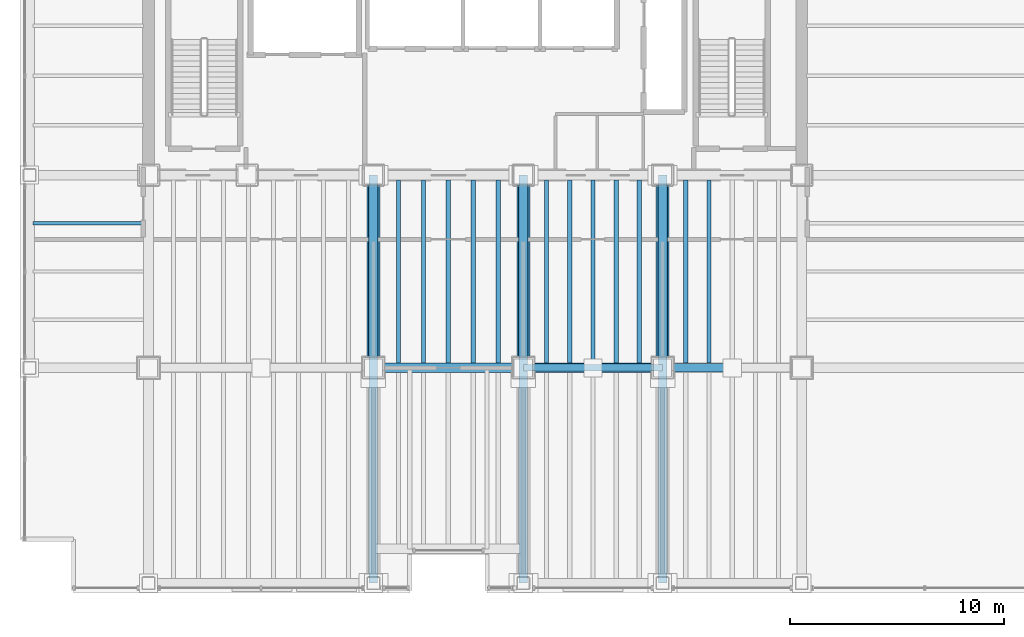
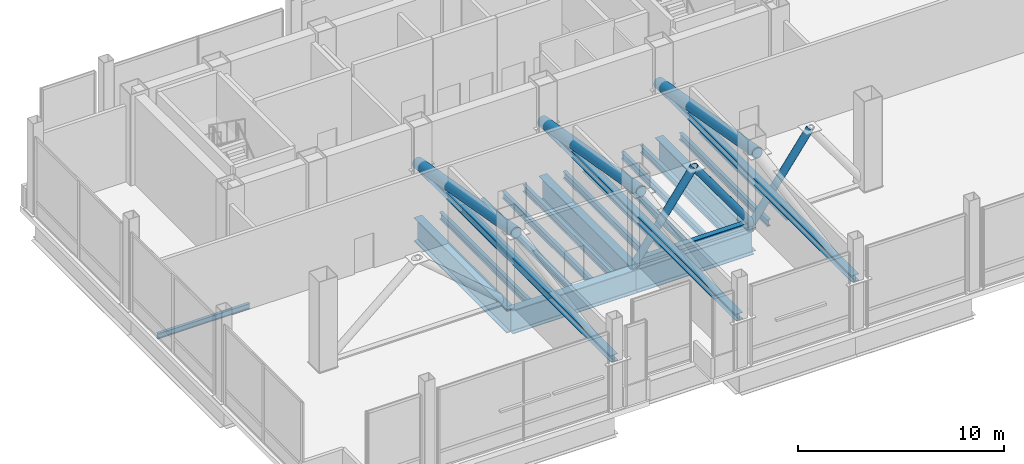
# One storey, part 6 of 20: 18 beams, 10 members.
"""IFC4 building model written with IfcOpenShell, lengths in metres."""

import ifcopenshell
import ifcopenshell.guid

model = None  # the IFC model being written
_history = None  # IfcOwnerHistory: only IFC2X3 demands one
_inside = {}  # id of a spatial element -> (the spatial element, [elements in it])
_under = {}  # id of a project, library or spatial element -> (it, [spatial elements below it])
_declared = {}  # id of a project -> (the project, [libraries it declares])
_typed = {}  # id of a type object -> (the type object, [elements of that type])
_made_of = {}  # id of a material, layer set ... -> (it, [elements and type objects made of it])


def new_model(schema):
    """Start an empty IFC model of exactly this schema.

    Asked for "IFC4X3", IfcOpenShell would pick the latest addendum, in which some entities
    have other attributes; the version numbers below select the first issue.
    IFC2X3 requires an IfcOwnerHistory on every rooted entity: one is made here for all.
    """
    global model, _history
    if schema == "IFC4X3":
        model = ifcopenshell.file(schema_version=(4, 3, 0, 0))
    else:
        model = ifcopenshell.file(schema=schema)
    _inside.clear()
    _under.clear()
    _declared.clear()
    _typed.clear()
    _made_of.clear()
    _history = None
    if model.schema == "IFC2X3":
        org = make("IfcOrganization", Name="unknown")
        user = make(
            "IfcPersonAndOrganization",
            ThePerson=make("IfcPerson", FamilyName="unknown"),
            TheOrganization=org,
        )
        app = make(
            "IfcApplication",
            ApplicationDeveloper=org,
            Version="unknown",
            ApplicationFullName="unknown",
            ApplicationIdentifier="unknown",
        )
        _history = make(
            "IfcOwnerHistory",
            OwningUser=user,
            OwningApplication=app,
            ChangeAction="ADDED",
            CreationDate=0,
        )
    return model


def make(cls, **values):
    """One entity of the class cls with the attributes given. An attribute that is None is left unset."""
    return model.create_entity(
        cls, **{name: value for name, value in values.items() if value is not None}
    )


def rooted(cls, **values):
    """An entity with a GlobalId (a new one), such as an element, a storey or a relation."""
    return make(cls, GlobalId=ifcopenshell.guid.new(), OwnerHistory=_history, **values)


def si_unit(unit_type, name, prefix=None):
    """IfcSIUnit, for example si_unit("LENGTHUNIT", "METRE", prefix="MILLI")."""
    return make("IfcSIUnit", UnitType=unit_type, Prefix=prefix, Name=name)


def assignment(units):
    """IfcUnitAssignment: the units of a project."""
    return None if units is None else make("IfcUnitAssignment", Units=units)


def point(xyz):
    """IfcCartesianPoint."""
    return None if xyz is None else make("IfcCartesianPoint", Coordinates=xyz)


def direction(xyz):
    """IfcDirection."""
    return None if xyz is None else make("IfcDirection", DirectionRatios=xyz)


def frame(location, z_axis=None, x_axis=None):
    """IfcAxis2Placement3D, a coordinate frame: its origin and axes. An axis left out is left unset."""
    return make(
        "IfcAxis2Placement3D",
        Location=point(location),
        Axis=direction(z_axis),
        RefDirection=direction(x_axis),
    )


def frame_2d(location, x_axis=None):
    """IfcAxis2Placement2D, a coordinate frame in the plane: its origin and x axis."""
    return make(
        "IfcAxis2Placement2D", Location=point(location), RefDirection=direction(x_axis)
    )


def origin():
    """The frame at (0, 0, 0) with its axes left unset."""
    return frame((0.0, 0.0, 0.0))


def origin_2d():
    """The frame at (0, 0) in the plane with its x axis left unset."""
    return frame_2d((0.0, 0.0))


def place(relative_to, where):
    """IfcLocalPlacement: puts the frame where relative to a parent placement (None: the world)."""
    return make(
        "IfcLocalPlacement", PlacementRelTo=relative_to, RelativePlacement=where
    )


def context(
    kind, dimensions, precision=None, world=None, true_north=None, identifier=None
):
    """IfcGeometricRepresentationContext, for example the 3D "Model" context."""
    return make(
        "IfcGeometricRepresentationContext",
        ContextIdentifier=identifier,
        ContextType=kind,
        CoordinateSpaceDimension=dimensions,
        Precision=precision,
        WorldCoordinateSystem=world,
        TrueNorth=true_north,
    )


def subcontext(parent, identifier, kind, view, scale=None):
    """IfcGeometricRepresentationSubContext, for example "Body" below "Model"."""
    return make(
        "IfcGeometricRepresentationSubContext",
        ContextIdentifier=identifier,
        ContextType=kind,
        ParentContext=parent,
        TargetScale=scale,
        TargetView=view,
    )


def project(units=None, contexts=None):
    """IfcProject with its units and contexts."""
    return rooted(
        "IfcProject",
        Name="project",
        RepresentationContexts=contexts,
        UnitsInContext=assignment(units),
    )


def spatial(cls, under=None, at=None, **own):
    """A site, building, storey or space (cls), placed at a placement, below another one or the project."""
    s = rooted(cls, ObjectPlacement=at, **own)
    if under is not None:
        _under.setdefault(under.id(), (under, []))[1].append(s)
    return s


def profile(cls, at=None, kind="AREA", **sizes):
    """A parametric profile (cls). Its sizes go by their IFC names, for example OverallWidth=200.0."""
    return make(cls, ProfileType=kind, Position=at, **sizes)


def hollow_circle(**sizes):
    """IfcCircleHollowProfileDef."""
    return profile("IfcCircleHollowProfileDef", **sizes)


def i_section(**sizes):
    """IfcIShapeProfileDef."""
    return profile("IfcIShapeProfileDef", **sizes)


def extrude(swept, where, along, depth):
    """IfcExtrudedAreaSolid: the profile swept, set in the frame where, extruded along a direction by depth."""
    return make(
        "IfcExtrudedAreaSolid",
        SweptArea=swept,
        Position=where,
        ExtrudedDirection=direction(along),
        Depth=depth,
    )


def shape(context_of_items, identifier, shape_type, items):
    """IfcShapeRepresentation: the items that make up one representation, for example the "Body"."""
    return make(
        "IfcShapeRepresentation",
        ContextOfItems=context_of_items,
        RepresentationIdentifier=identifier,
        RepresentationType=shape_type,
        Items=items,
    )


def material(Name=None, Category=None):
    """IfcMaterial."""
    return make("IfcMaterial", Name=Name, Category=Category)


def material_profile(
    of_material, cross_section, Name=None, Category=None, Priority=None
):
    """IfcMaterialProfile: a cross section and its material."""
    return make(
        "IfcMaterialProfile",
        Name=Name,
        Material=of_material,
        Profile=cross_section,
        Priority=Priority,
        Category=Category,
    )


def profile_set(profiles, Name=None, composite=None):
    """IfcMaterialProfileSet."""
    return make(
        "IfcMaterialProfileSet",
        Name=Name,
        MaterialProfiles=profiles,
        CompositeProfile=composite,
    )


def made_of(thing, what):
    """Note that an element or type object is made of a material, layer set ...; save() writes the relation."""
    if what is not None:
        _made_of.setdefault(what.id(), (what, []))[1].append(thing)
    return thing


def type_object(cls, material=None, **own):
    """A type object (cls), such as IfcWallType, which elements share."""
    return made_of(rooted(cls, **own), material)


def element(
    cls,
    number,
    at=None,
    inside=None,
    cuts=None,
    type_object=None,
    material=None,
    context=None,
    identifier="Body",
    shape_type=None,
    held_by="IfcProductDefinitionShape",
    body=None,
    shapes=None,
    **own,
):
    """One element of the class cls, such as IfcWall. Its Tag is "e" and its number.

    at: its placement. inside: the storey or other place that contains it. cuts: it is an
    opening in that element (IfcRelVoidsElement). A single representation is given by context,
    identifier, shape_type and body (its items); several are given by shapes. held_by: the class
    of the entity that holds the representations. save() writes the other relations.
    """
    e = rooted(cls, Tag="e%d" % number, ObjectPlacement=at, **own)
    if body is not None:
        shapes = [shape(context, identifier, shape_type, body)]
    if shapes is not None:
        e.Representation = make(held_by, Representations=shapes)
    if inside is not None:
        _inside.setdefault(inside.id(), (inside, []))[1].append(e)
    if cuts is not None:
        rooted(
            "IfcRelVoidsElement", RelatingBuildingElement=cuts, RelatedOpeningElement=e
        )
    if type_object is not None:
        _typed.setdefault(type_object.id(), (type_object, []))[1].append(e)
    return made_of(e, material)


def aggregate(whole, parts):
    """IfcRelAggregates: a whole, such as a stair, and the parts it consists of."""
    return rooted("IfcRelAggregates", RelatingObject=whole, RelatedObjects=parts)


def save(model, path):
    """Write the relations noted so far, then the file.

    IfcRelAggregates (storeys below a building ...), IfcRelContainedInSpatialStructure (elements
    in a storey), IfcRelDefinesByType, IfcRelAssociatesMaterial and IfcRelDeclares: one each for
    every whole, place, type object, material and project.
    """
    for whole, parts in _under.values():
        aggregate(whole, parts)
    for where, things in _inside.values():
        rooted(
            "IfcRelContainedInSpatialStructure",
            RelatedElements=things,
            RelatingStructure=where,
        )
    for kind, things in _typed.values():
        rooted("IfcRelDefinesByType", RelatedObjects=things, RelatingType=kind)
    for what, things in _made_of.values():
        rooted("IfcRelAssociatesMaterial", RelatedObjects=things, RelatingMaterial=what)
    for by, libraries in _declared.values():
        rooted("IfcRelDeclares", RelatingContext=by, RelatedDefinitions=libraries)
    model.write(path)


model = new_model("IFC4")

# Units and contexts
model_context = context("Model", 3, precision=1e-05, world=origin(), true_north=direction((0.0, 1.0)))
body_context = subcontext(model_context, "Body", "Model", "MODEL_VIEW")
ifc_project = project(units=[si_unit("LENGTHUNIT", "METRE"), si_unit("AREAUNIT", "SQUARE_METRE"), si_unit("VOLUMEUNIT", "CUBIC_METRE"), si_unit("PLANEANGLEUNIT", "RADIAN"), si_unit("MASSUNIT", "GRAM", prefix="KILO")], contexts=[model_context])

# Site, building, storey
site_placement = place(None, origin())
site = spatial("IfcSite", under=ifc_project, at=site_placement, CompositionType="ELEMENT")
building_placement = place(site_placement, origin())
building = spatial("IfcBuilding", under=site, at=building_placement, Name="Noeulbin Bourse Tower", CompositionType="ELEMENT")
storey_placement = place(building_placement, frame((0.0, 0.0, 100.60009765625)))
storey = spatial("IfcBuildingStorey", under=building, at=storey_placement, Name="L25", CompositionType="ELEMENT", Elevation=100.60009765625)

# Beams
ifc_material_1 = material(Name="Steel S355", Category="steel")
ifc_material_profile_1 = material_profile(ifc_material_1, i_section(OverallWidth=0.159912109375, OverallDepth=0.320068359375, WebThickness=0.006591796875, FlangeThickness=0.010009765625, FilletRadius=0.012939453125, at=origin_2d()), Name="H-320x160x6.5x10", Category="LoadBearing")
ifc_profile_set_1 = profile_set([ifc_material_profile_1], Name="Steel S355")
beam_type_1 = type_object("IfcBeamType", Name="BM-JST-320", PredefinedType="JOIST", material=ifc_profile_set_1)
beam_1_placement = place(storey_placement, frame((8.10009765625, 26.75, -0.460205078125), z_axis=(1.0, 0.0, 0.0), x_axis=(0.0, 1.0, 0.0)))
element("IfcBeam", 1, at=beam_1_placement, inside=storey, type_object=beam_type_1, Name="Wing Composite Joist L25-W72", PredefinedType="JOIST", context=body_context, shape_type="SweptSolid", body=[
    extrude(i_section(OverallWidth=0.159912109375, OverallDepth=0.320068359375, WebThickness=0.006591796875, FlangeThickness=0.010009765625, FilletRadius=0.012939453125, at=origin_2d()), origin(), (0.0, 0.0, 1.0), 5.1748046875),
])
ifc_material_profile_2 = material_profile(ifc_material_1, i_section(OverallWidth=0.199951171875, OverallDepth=0.39990234375, WebThickness=0.008056640625, FlangeThickness=0.012939453125, FilletRadius=0.01611328125, at=origin_2d()), Name="H-400x200x8x13", Category="LoadBearing")
ifc_profile_set_2 = profile_set([ifc_material_profile_2], Name="Steel S355")
beam_type_2 = type_object("IfcBeamType", Name="BM-SEC-400", PredefinedType="BEAM", material=ifc_profile_set_2)
for number, where, z_axis, x_axis, name in (
    (2, (25.166748046875, 20.22509765625, -0.5), (0.0, 1.0, 0.0), (-1.0, 0.0, 0.0), "Tower Composite Joist L25-26"),
    (3, (26.333251953125, 20.22509765625, -0.5), (0.0, 1.0, 0.0), (-1.0, 0.0, 0.0), "Tower Composite Joist L25-29"),
    (4, (27.5, 20.22509765625, -0.5), (0.0, 1.0, 0.0), (-1.0, 0.0, 0.0), "Tower Composite Joist L25-32"),
    (5, (28.666748046875, 20.22509765625, -0.5), (0.0, 1.0, 0.0), (-1.0, 0.0, 0.0), "Tower Composite Joist L25-35"),
    (6, (29.833251953125, 20.22509765625, -0.5), (0.0, 1.0, 0.0), (-1.0, 0.0, 0.0), "Tower Composite Joist L25-38"),
    (7, (32.083251953125, 20.22509765625, -0.5), (0.0, 1.0, 0.0), (-1.0, 0.0, 0.0), "Tower Composite Joist L25-41"),
    (8, (33.166748046875, 20.22509765625, -0.5), (0.0, 1.0, 0.0), (-1.0, 0.0, 0.0), "Tower Composite Joist L25-44"),
    (9, (34.25, 20.22509765625, -0.5), (0.0, 1.0, 0.0), (-1.0, 0.0, 0.0), "Tower Composite Joist L25-47"),
    (10, (35.333251953125, 20.22509765625, -0.5), (0.0, 1.0, 0.0), (-1.0, 0.0, 0.0), "Tower Composite Joist L25-50"),
    (11, (36.416748046875, 20.22509765625, -0.5), (0.0, 1.0, 0.0), (-1.0, 0.0, 0.0), "Tower Composite Joist L25-53"),
    (12, (38.583251953125, 20.22509765625, -0.5), (0.0, 1.0, 0.0), (-1.0, 0.0, 0.0), "Tower Composite Joist L25-56"),
    (13, (39.666748046875, 20.22509765625, -0.5), (0.0, 1.0, 0.0), (-1.0, 0.0, 0.0), "Tower Composite Joist L25-59"),
):
    element("IfcBeam", number, at=place(storey_placement, frame(where, z_axis=z_axis, x_axis=x_axis)), inside=storey, type_object=beam_type_2, Name=name, PredefinedType="BEAM", context=body_context, shape_type="SweptSolid", body=[
        extrude(i_section(OverallWidth=0.199951171875, OverallDepth=0.39990234375, WebThickness=0.008056640625, FlangeThickness=0.012939453125, FilletRadius=0.01611328125, at=origin_2d()), origin(), (0.0, 0.0, 1.0), 8.5498046875),
    ])
ifc_material_2 = material(Name="Steel S460", Category="steel")
ifc_material_profile_3 = material_profile(ifc_material_2, i_section(OverallWidth=0.449951171875, OverallDepth=1.39990234375, WebThickness=0.02392578125, FlangeThickness=0.0400390625, FilletRadius=0.02392578125, at=origin_2d()), Name="PG-1400x450x24x40", Category="LoadBearing")
ifc_profile_set_3 = profile_set([ifc_material_profile_3], Name="Steel S460")
beam_type_3 = type_object("IfcBeamType", Name="BM-TRF-1400", PredefinedType="USERDEFINED", material=ifc_profile_set_3)
beam_2_placement = place(storey_placement, frame((24.0, 20.0, -1.0), z_axis=(1.0, 0.0, 0.0), x_axis=(0.0, 1.0, 0.0)))
element("IfcBeam", 14, at=beam_2_placement, inside=storey, type_object=beam_type_3, Name="Tower Primary Girder EW L25-1.3", ObjectType="GIRDER", PredefinedType="USERDEFINED", context=body_context, shape_type="SweptSolid", body=[
    extrude(i_section(OverallWidth=0.449951171875, OverallDepth=1.39990234375, WebThickness=0.02392578125, FlangeThickness=0.0400390625, FilletRadius=0.02392578125, at=origin_2d()), origin(), (0.0, 0.0, 1.0), 7.0),
])
beam_3_placement = place(storey_placement, frame((31.0, 20.0, -1.0), z_axis=(1.0, 0.0, 0.0), x_axis=(0.0, 1.0, 0.0)))
element("IfcBeam", 15, at=beam_3_placement, inside=storey, type_object=beam_type_3, Name="Tower Primary Girder EW L25-1.4", ObjectType="GIRDER", PredefinedType="USERDEFINED", context=body_context, shape_type="SweptSolid", body=[
    extrude(i_section(OverallWidth=0.449951171875, OverallDepth=1.39990234375, WebThickness=0.02392578125, FlangeThickness=0.0400390625, FilletRadius=0.02392578125, at=origin_2d()), origin(), (0.0, 0.0, 1.0), 6.5),
])
for number, where, z_axis, x_axis, name in (
    (16, (24.0, 20.0, -1.0), (0.0, 1.0, 0.0), (-1.0, 0.0, 0.0), "Tower Primary Girder NS L25-2.2"),
    (17, (31.0, 20.0, -1.0), (0.0, 1.0, 0.0), (-1.0, 0.0, 0.0), "Tower Primary Girder NS L25-3.2"),
    (18, (37.5, 20.0, -1.0), (0.0, 1.0, 0.0), (-1.0, 0.0, 0.0), "Tower Primary Girder NS L25-4.2"),
):
    element("IfcBeam", number, at=place(storey_placement, frame(where, z_axis=z_axis, x_axis=x_axis)), inside=storey, type_object=beam_type_3, Name=name, ObjectType="GIRDER", PredefinedType="USERDEFINED", context=body_context, shape_type="SweptSolid", body=[
        extrude(i_section(OverallWidth=0.449951171875, OverallDepth=1.39990234375, WebThickness=0.02392578125, FlangeThickness=0.0400390625, FilletRadius=0.02392578125, at=origin_2d()), origin(), (0.0, 0.0, 1.0), 9.0),
    ])

# Members
ifc_material_profile_4 = material_profile(ifc_material_1, hollow_circle(Radius=0.203125, WallThickness=0.01611328125, at=origin_2d()), Name="CHS-406.4x16.0", Category="LoadBearing")
ifc_profile_set_4 = profile_set([ifc_material_profile_4], Name="Steel S355")
member_type_1 = type_object("IfcMemberType", Name="MEM-BLT-406", PredefinedType="BRACE", material=ifc_profile_set_4)
for number, where, z_axis, x_axis, name in (
    (19, (31.0, 20.0, 0.010009765625), (0.58634739167, 0.0, 0.810059711553), (0.0, 1.0, 0.0), "Interior Spine Belt Diagonal BT-L25-2A"),
    (20, (34.25, 20.0, 4.5), (0.58634739167, 0.0, -0.810059711553), (0.0, 1.0, 0.0), "Interior Spine Belt Diagonal BT-L25-2B"),
    (21, (37.5, 20.0, 0.010009765625), (0.58634739167, 0.0, 0.810059711553), (0.0, 1.0, 0.0), "Interior Spine Belt Diagonal BT-L25-3A"),
):
    element("IfcMember", number, at=place(storey_placement, frame(where, z_axis=z_axis, x_axis=x_axis)), inside=storey, type_object=member_type_1, Name=name, PredefinedType="BRACE", context=body_context, shape_type="SweptSolid", body=[
        extrude(hollow_circle(Radius=0.203125, WallThickness=0.01611328125, at=origin_2d()), origin(), (0.0, 0.0, 1.0), 5.542724609375),
    ])
ifc_material_profile_5 = material_profile(ifc_material_1, i_section(OverallWidth=0.300048828125, OverallDepth=0.389892578125, WebThickness=0.010009765625, FlangeThickness=0.01611328125, FilletRadius=0.01806640625, at=origin_2d()), Name="H-390x300x10x16", Category="LoadBearing")
ifc_profile_set_5 = profile_set([ifc_material_profile_5], Name="Steel S355")
member_type_2 = type_object("IfcMemberType", Name="MEM-CHD-390", PredefinedType="CHORD", material=ifc_profile_set_5)
member_placement = place(storey_placement, frame((31.0, 20.0, 0.010009765625), z_axis=(1.0, 0.0, 0.0), x_axis=(0.0, 1.0, 0.0)))
element("IfcMember", 22, at=member_placement, inside=storey, type_object=member_type_2, Name="Interior Spine Belt Chord CH-L25-B2", PredefinedType="CHORD", context=body_context, shape_type="SweptSolid", body=[
    extrude(i_section(OverallWidth=0.300048828125, OverallDepth=0.389892578125, WebThickness=0.010009765625, FlangeThickness=0.01611328125, FilletRadius=0.01806640625, at=origin_2d()), origin(), (0.0, 0.0, 1.0), 6.5),
])
ifc_material_profile_6 = material_profile(ifc_material_2, i_section(OverallWidth=0.39990234375, OverallDepth=0.39990234375, WebThickness=0.012939453125, FlangeThickness=0.02099609375, FilletRadius=0.02197265625, at=origin_2d()), Name="H-400x400x13x21", Category="LoadBearing")
ifc_profile_set_6 = profile_set([ifc_material_profile_6], Name="Steel S460")
member_type_3 = type_object("IfcMemberType", Name="MEM-CHD-400", PredefinedType="CHORD", material=ifc_profile_set_6)
for number, where, z_axis, x_axis, name in (
    (23, (24.0, 29.0, 2.849853515625), (0.0, -1.0, 0.0), (1.0, 0.0, 0.0), "Outrigger Bottom Chord CH-L25-1"),
    (24, (31.0, 29.0, 2.849853515625), (0.0, -1.0, 0.0), (1.0, 0.0, 0.0), "Outrigger Bottom Chord CH-L25-2"),
    (25, (37.5, 29.0, 2.849853515625), (0.0, -1.0, 0.0), (1.0, 0.0, 0.0), "Outrigger Bottom Chord CH-L25-3"),
):
    element("IfcMember", number, at=place(storey_placement, frame(where, z_axis=z_axis, x_axis=x_axis)), inside=storey, type_object=member_type_3, Name=name, PredefinedType="CHORD", context=body_context, shape_type="SweptSolid", body=[
        extrude(i_section(OverallWidth=0.39990234375, OverallDepth=0.39990234375, WebThickness=0.012939453125, FlangeThickness=0.02099609375, FilletRadius=0.02197265625, at=origin_2d()), origin(), (0.0, 0.0, 1.0), 19.050048828125),
    ])
ifc_material_profile_7 = material_profile(ifc_material_2, hollow_circle(Radius=0.3046875, WallThickness=0.028076171875, at=origin_2d()), Name="CHS-609.6x28.0", Category="LoadBearing")
ifc_profile_set_7 = profile_set([ifc_material_profile_7], Name="Steel S460")
member_type_4 = type_object("IfcMemberType", Name="MEM-OUT-610", PredefinedType="BRACE", material=ifc_profile_set_7)
for number, where, z_axis, x_axis, name in (
    (26, (24.0, 29.0, 2.849853515625), (0.0, -0.985322579988, 0.170702704622), (1.0, 0.0, 0.0), "Outrigger Truss Diagonal OT-L25-1A"),
    (27, (31.0, 29.0, 2.849853515625), (0.0, -0.985322579988, 0.170702704622), (1.0, 0.0, 0.0), "Outrigger Truss Diagonal OT-L25-2A"),
    (28, (37.5, 29.0, 2.849853515625), (0.0, -0.985322579988, 0.170702704622), (1.0, 0.0, 0.0), "Outrigger Truss Diagonal OT-L25-3A"),
):
    element("IfcMember", number, at=place(storey_placement, frame(where, z_axis=z_axis, x_axis=x_axis)), inside=storey, type_object=member_type_4, Name=name, PredefinedType="BRACE", context=body_context, shape_type="SweptSolid", body=[
        extrude(hollow_circle(Radius=0.3046875, WallThickness=0.028076171875, at=origin_2d()), origin(), (0.0, 0.0, 1.0), 9.666748046875),
    ])

save(model, "model.ifc")
